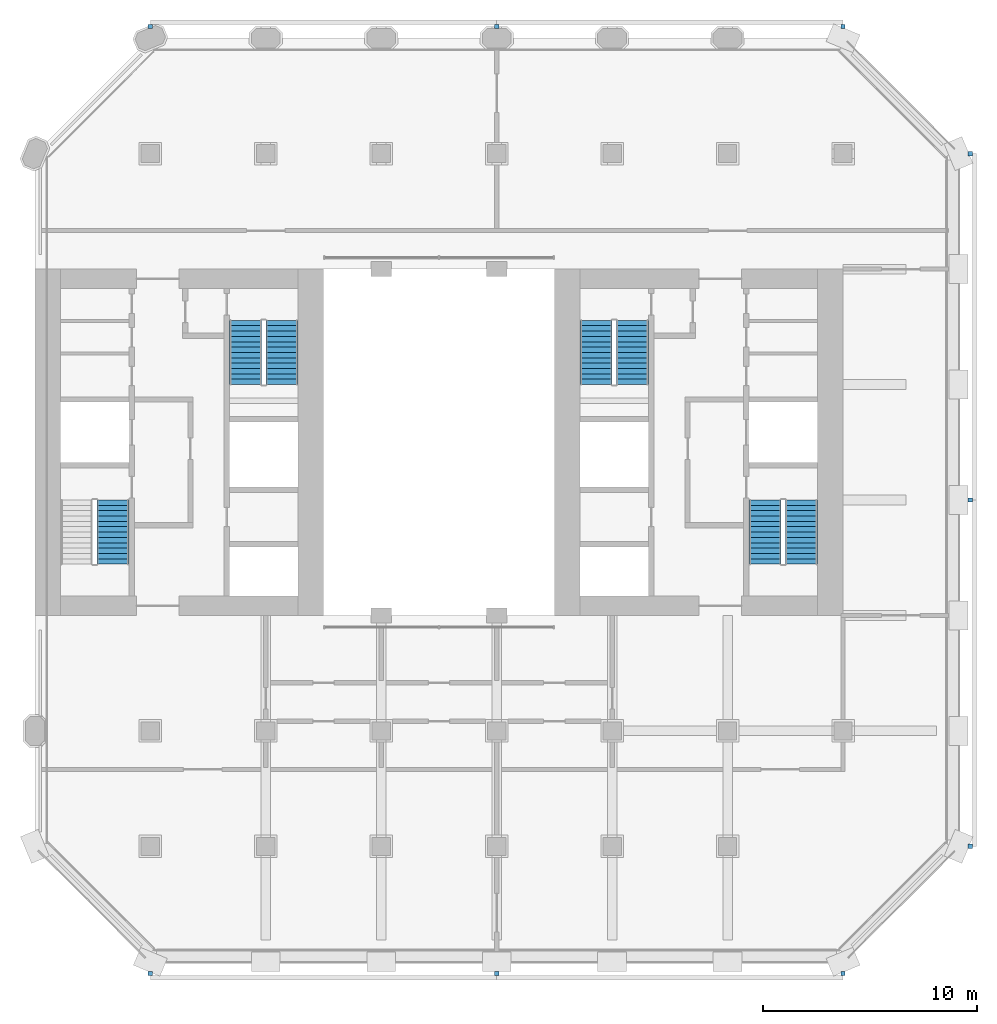
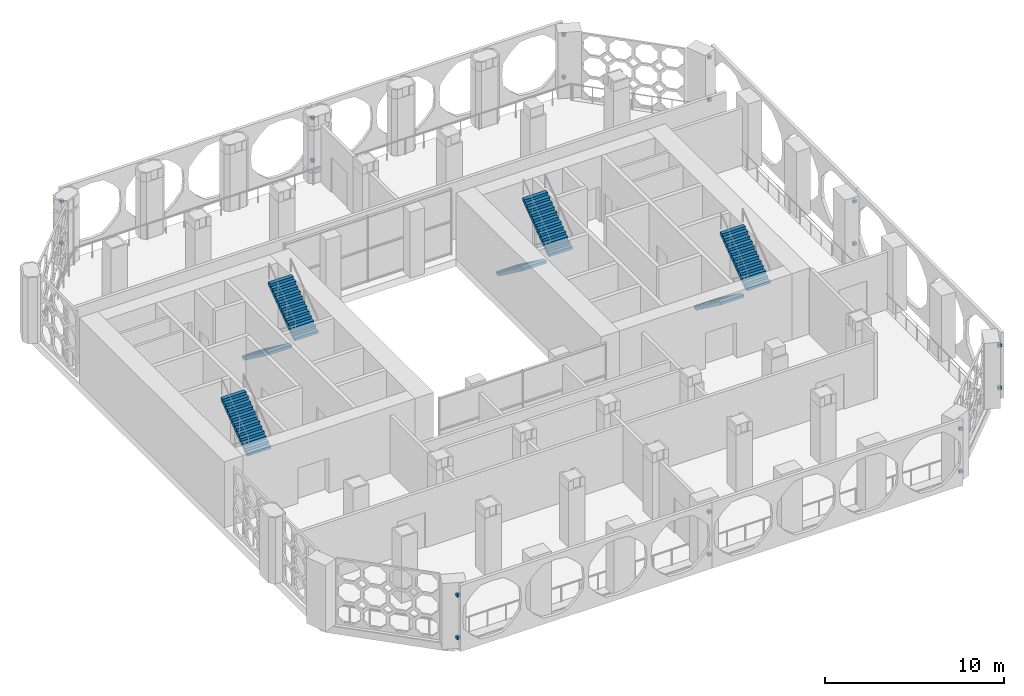
# One storey, part 10 of 14: 18 discrete accessories, 7 stair flights, 4 elements without a shape of their own.
"""IFC4 building model written with IfcOpenShell, lengths in metres."""

from ifc_helpers import new_model, si_unit, direction, frame, origin, origin_2d, place, context, subcontext, project, spatial, polyline, rectangle, outline, extrude, material, type_object, element, aggregate, save


model = new_model("IFC4")

# Units and contexts
model_context = context("Model", 3, precision=1e-05, world=origin(), true_north=direction((0.0, 1.0)))
body_context = subcontext(model_context, "Body", "Model", "MODEL_VIEW")
ifc_project = project(units=[si_unit("LENGTHUNIT", "METRE"), si_unit("AREAUNIT", "SQUARE_METRE"), si_unit("VOLUMEUNIT", "CUBIC_METRE"), si_unit("PLANEANGLEUNIT", "RADIAN"), si_unit("MASSUNIT", "GRAM", prefix="KILO")], contexts=[model_context])

# Site, building, storey
site_placement = place(None, origin())
site = spatial("IfcSite", under=ifc_project, at=site_placement, CompositionType="ELEMENT")
building_placement = place(site_placement, origin())
building = spatial("IfcBuilding", under=site, at=building_placement, Name="Tabaq Tower and Sports Hall", CompositionType="ELEMENT")
storey_placement = place(building_placement, frame((0.0, 0.0, 175.89990234375)))
storey = spatial("IfcBuildingStorey", under=building, at=storey_placement, Name="L42", CompositionType="ELEMENT", Elevation=175.89990234375)

# Stair, stair flight
ifc_material_1 = material(Name="Concrete C40/50", Category="concrete")
stair_type = type_object("IfcStairType", Name="Exit stair", PredefinedType="HALF_TURN_STAIR", material=ifc_material_1)
stair_1_placement = place(storey_placement, origin())
stair_1 = element("IfcStair", 1, at=stair_1_placement, inside=storey, type_object=stair_type, Name="L42 Exit stair ST1", PredefinedType="HALF_TURN_STAIR")
ifc_material_2 = material(Name="Concrete C40/50", Category="concrete")
stair_flight_type = type_object("IfcStairFlightType", Name="Exit stair flight", PredefinedType="STRAIGHT", material=ifc_material_2)
stair_flight_1_placement = place(storey_placement, frame((9.050048828125, 18.60009765625, 2.400146484375), z_axis=(0.0, 0.0, 1.0), x_axis=(0.0, 1.0, 0.0)))
stair_flight_1 = element("IfcStairFlight", 2, at=stair_flight_1_placement, type_object=stair_flight_type, Name="ST1 flight 2", NumberOfRisers=13, NumberOfTreads=12, PredefinedType="STRAIGHT", RiserHeight=0.184615385, TreadLength=0.25, context=body_context, shape_type="SweptSolid", body=[
    extrude(outline(polyline([(0.0, 0.0), (0.0, 0.1845703125), (0.25, 0.1845703125), (0.25, 0.369140625), (0.5, 0.369140625), (0.5, 0.553955078125), (0.75, 0.553955078125), (0.75, 0.738525390625), (1.0, 0.738525390625), (1.0, 0.923095703125), (1.25, 0.923095703125), (1.25, 1.107666015625), (1.5, 1.107666015625), (1.5, 1.292236328125), (1.75, 1.292236328125), (1.75, 1.476806640625), (2.0, 1.476806640625), (2.0, 1.66162109375), (2.25, 1.66162109375), (2.25, 1.84619140625), (2.5, 1.84619140625), (2.5, 2.03076171875), (2.75, 2.03076171875), (2.75, 2.21533203125), (3.0, 2.21533203125), (3.0, 2.39990234375), (3.0, 2.029052734375), (0.25244140625, 0.0), (0.0, 0.0)])), frame((0.0, 0.75, 0.0), z_axis=(0.0, -1.0, 0.0), x_axis=(1.0, 0.0, 0.0)), (0.0, 0.0, 1.0), 1.5),
])
aggregate(stair_1, [stair_flight_1])

# Stair, stair flights
stair_2_placement = place(storey_placement, origin())
stair_2 = element("IfcStair", 3, at=stair_2_placement, inside=storey, type_object=stair_type, Name="L42 Exit stair ST2", PredefinedType="HALF_TURN_STAIR")
stair_flight_2_placement = place(storey_placement, frame((15.25, 30.0, 0.0), z_axis=(0.0, 0.0, 1.0), x_axis=(0.0, -1.0, 0.0)))
stair_flight_2 = element("IfcStairFlight", 4, at=stair_flight_2_placement, type_object=stair_flight_type, Name="ST2 flight 1", NumberOfRisers=13, NumberOfTreads=12, PredefinedType="STRAIGHT", RiserHeight=0.184615385, TreadLength=0.25, context=body_context, shape_type="SweptSolid", body=[
    extrude(outline(polyline([(0.0, 0.0), (0.0, 0.1845703125), (0.25, 0.1845703125), (0.25, 0.369140625), (0.5, 0.369140625), (0.5, 0.553955078125), (0.75, 0.553955078125), (0.75, 0.738525390625), (1.0, 0.738525390625), (1.0, 0.923095703125), (1.25, 0.923095703125), (1.25, 1.107666015625), (1.5, 1.107666015625), (1.5, 1.292236328125), (1.75, 1.292236328125), (1.75, 1.476806640625), (2.0, 1.476806640625), (2.0, 1.66162109375), (2.25, 1.66162109375), (2.25, 1.84619140625), (2.5, 1.84619140625), (2.5, 2.03076171875), (2.75, 2.03076171875), (2.75, 2.21533203125), (3.0, 2.21533203125), (3.0, 2.39990234375), (3.0, 2.029052734375), (0.25244140625, 0.0), (0.0, 0.0)])), frame((0.0, 0.75, 0.0), z_axis=(0.0, -1.0, 0.0), x_axis=(1.0, 0.0, 0.0)), (0.0, 0.0, 1.0), 1.5),
])
stair_flight_3_placement = place(storey_placement, frame((16.949951171875, 27.0, 2.400146484375), z_axis=(0.0, 0.0, 1.0), x_axis=(0.0, 1.0, 0.0)))
stair_flight_3 = element("IfcStairFlight", 5, at=stair_flight_3_placement, type_object=stair_flight_type, Name="ST2 flight 2", NumberOfRisers=13, NumberOfTreads=12, PredefinedType="STRAIGHT", RiserHeight=0.184615385, TreadLength=0.25, context=body_context, shape_type="SweptSolid", body=[
    extrude(outline(polyline([(0.0, 0.0), (0.0, 0.1845703125), (0.25, 0.1845703125), (0.25, 0.369140625), (0.5, 0.369140625), (0.5, 0.553955078125), (0.75, 0.553955078125), (0.75, 0.738525390625), (1.0, 0.738525390625), (1.0, 0.923095703125), (1.25, 0.923095703125), (1.25, 1.107666015625), (1.5, 1.107666015625), (1.5, 1.292236328125), (1.75, 1.292236328125), (1.75, 1.476806640625), (2.0, 1.476806640625), (2.0, 1.66162109375), (2.25, 1.66162109375), (2.25, 1.84619140625), (2.5, 1.84619140625), (2.5, 2.03076171875), (2.75, 2.03076171875), (2.75, 2.21533203125), (3.0, 2.21533203125), (3.0, 2.39990234375), (3.0, 2.029052734375), (0.25244140625, 0.0), (0.0, 0.0)])), frame((0.0, 0.75, 0.0), z_axis=(0.0, -1.0, 0.0), x_axis=(1.0, 0.0, 0.0)), (0.0, 0.0, 1.0), 1.5),
])
aggregate(stair_2, [stair_flight_2, stair_flight_3])

stair_3_placement = place(storey_placement, origin())
stair_3 = element("IfcStair", 6, at=stair_3_placement, inside=storey, type_object=stair_type, Name="L42 Exit stair ST3", PredefinedType="HALF_TURN_STAIR")
stair_flight_4_placement = place(storey_placement, frame((39.550048828125, 21.60009765625, 0.0), z_axis=(0.0, 0.0, 1.0), x_axis=(0.0, -1.0, 0.0)))
stair_flight_4 = element("IfcStairFlight", 7, at=stair_flight_4_placement, type_object=stair_flight_type, Name="ST3 flight 1", NumberOfRisers=13, NumberOfTreads=12, PredefinedType="STRAIGHT", RiserHeight=0.184615385, TreadLength=0.25, context=body_context, shape_type="SweptSolid", body=[
    extrude(outline(polyline([(0.0, 0.0), (0.0, 0.1845703125), (0.25, 0.1845703125), (0.25, 0.369140625), (0.5, 0.369140625), (0.5, 0.553955078125), (0.75, 0.553955078125), (0.75, 0.738525390625), (1.0, 0.738525390625), (1.0, 0.923095703125), (1.25, 0.923095703125), (1.25, 1.107666015625), (1.5, 1.107666015625), (1.5, 1.292236328125), (1.75, 1.292236328125), (1.75, 1.476806640625), (2.0, 1.476806640625), (2.0, 1.66162109375), (2.25, 1.66162109375), (2.25, 1.84619140625), (2.5, 1.84619140625), (2.5, 2.03076171875), (2.75, 2.03076171875), (2.75, 2.21533203125), (3.0, 2.21533203125), (3.0, 2.39990234375), (3.0, 2.029052734375), (0.25244140625, 0.0), (0.0, 0.0)])), frame((0.0, 0.75, 0.0), z_axis=(0.0, -1.0, 0.0), x_axis=(1.0, 0.0, 0.0)), (0.0, 0.0, 1.0), 1.5),
])
stair_flight_5_placement = place(storey_placement, frame((41.25, 18.60009765625, 2.400146484375), z_axis=(0.0, 0.0, 1.0), x_axis=(0.0, 1.0, 0.0)))
stair_flight_5 = element("IfcStairFlight", 8, at=stair_flight_5_placement, type_object=stair_flight_type, Name="ST3 flight 2", NumberOfRisers=13, NumberOfTreads=12, PredefinedType="STRAIGHT", RiserHeight=0.184615385, TreadLength=0.25, context=body_context, shape_type="SweptSolid", body=[
    extrude(outline(polyline([(0.0, 0.0), (0.0, 0.1845703125), (0.25, 0.1845703125), (0.25, 0.369140625), (0.5, 0.369140625), (0.5, 0.553955078125), (0.75, 0.553955078125), (0.75, 0.738525390625), (1.0, 0.738525390625), (1.0, 0.923095703125), (1.25, 0.923095703125), (1.25, 1.107666015625), (1.5, 1.107666015625), (1.5, 1.292236328125), (1.75, 1.292236328125), (1.75, 1.476806640625), (2.0, 1.476806640625), (2.0, 1.66162109375), (2.25, 1.66162109375), (2.25, 1.84619140625), (2.5, 1.84619140625), (2.5, 2.03076171875), (2.75, 2.03076171875), (2.75, 2.21533203125), (3.0, 2.21533203125), (3.0, 2.39990234375), (3.0, 2.029052734375), (0.25244140625, 0.0), (0.0, 0.0)])), frame((0.0, 0.75, 0.0), z_axis=(0.0, -1.0, 0.0), x_axis=(1.0, 0.0, 0.0)), (0.0, 0.0, 1.0), 1.5),
])
aggregate(stair_3, [stair_flight_4, stair_flight_5])

stair_4_placement = place(storey_placement, origin())
stair_4 = element("IfcStair", 9, at=stair_4_placement, inside=storey, type_object=stair_type, Name="L42 Exit stair ST4", PredefinedType="HALF_TURN_STAIR")
stair_flight_6_placement = place(storey_placement, frame((31.64990234375, 30.0, 0.0), z_axis=(0.0, 0.0, 1.0), x_axis=(0.0, -1.0, 0.0)))
stair_flight_6 = element("IfcStairFlight", 10, at=stair_flight_6_placement, type_object=stair_flight_type, Name="ST4 flight 1", NumberOfRisers=13, NumberOfTreads=12, PredefinedType="STRAIGHT", RiserHeight=0.184615385, TreadLength=0.25, context=body_context, shape_type="SweptSolid", body=[
    extrude(outline(polyline([(0.0, 0.0), (0.0, 0.1845703125), (0.25, 0.1845703125), (0.25, 0.369140625), (0.5, 0.369140625), (0.5, 0.553955078125), (0.75, 0.553955078125), (0.75, 0.738525390625), (1.0, 0.738525390625), (1.0, 0.923095703125), (1.25, 0.923095703125), (1.25, 1.107666015625), (1.5, 1.107666015625), (1.5, 1.292236328125), (1.75, 1.292236328125), (1.75, 1.476806640625), (2.0, 1.476806640625), (2.0, 1.66162109375), (2.25, 1.66162109375), (2.25, 1.84619140625), (2.5, 1.84619140625), (2.5, 2.03076171875), (2.75, 2.03076171875), (2.75, 2.21533203125), (3.0, 2.21533203125), (3.0, 2.39990234375), (3.0, 2.029052734375), (0.25244140625, 0.0), (0.0, 0.0)])), frame((0.0, 0.75, 0.0), z_axis=(0.0, -1.0, 0.0), x_axis=(1.0, 0.0, 0.0)), (0.0, 0.0, 1.0), 1.5),
])
stair_flight_7_placement = place(storey_placement, frame((33.35009765625, 27.0, 2.400146484375), z_axis=(0.0, 0.0, 1.0), x_axis=(0.0, 1.0, 0.0)))
stair_flight_7 = element("IfcStairFlight", 11, at=stair_flight_7_placement, type_object=stair_flight_type, Name="ST4 flight 2", NumberOfRisers=13, NumberOfTreads=12, PredefinedType="STRAIGHT", RiserHeight=0.184615385, TreadLength=0.25, context=body_context, shape_type="SweptSolid", body=[
    extrude(outline(polyline([(0.0, 0.0), (0.0, 0.1845703125), (0.25, 0.1845703125), (0.25, 0.369140625), (0.5, 0.369140625), (0.5, 0.553955078125), (0.75, 0.553955078125), (0.75, 0.738525390625), (1.0, 0.738525390625), (1.0, 0.923095703125), (1.25, 0.923095703125), (1.25, 1.107666015625), (1.5, 1.107666015625), (1.5, 1.292236328125), (1.75, 1.292236328125), (1.75, 1.476806640625), (2.0, 1.476806640625), (2.0, 1.66162109375), (2.25, 1.66162109375), (2.25, 1.84619140625), (2.5, 1.84619140625), (2.5, 2.03076171875), (2.75, 2.03076171875), (2.75, 2.21533203125), (3.0, 2.21533203125), (3.0, 2.39990234375), (3.0, 2.029052734375), (0.25244140625, 0.0), (0.0, 0.0)])), frame((0.0, 0.75, 0.0), z_axis=(0.0, -1.0, 0.0), x_axis=(1.0, 0.0, 0.0)), (0.0, 0.0, 1.0), 1.5),
])
aggregate(stair_4, [stair_flight_6, stair_flight_7])

# Discrete accessories
for number, where, z_axis, x_axis, name in (
    (12, (10.800048828125, -0.550048828125, 0.7001953125), (0.0, 0.0, 1.0), (0.0, 1.0, 0.0), "Stainless steel bracket"),
    (13, (10.800048828125, -0.550048828125, 3.60009765625), (0.0, 0.0, 1.0), (0.0, 1.0, 0.0), "Stainless steel bracket"),
    (14, (27.0, -0.550048828125, 0.7001953125), (0.0, 0.0, 1.0), (0.0, 1.0, 0.0), "Stainless steel bracket"),
    (15, (27.0, -0.550048828125, 3.60009765625), (0.0, 0.0, 1.0), (0.0, 1.0, 0.0), "Stainless steel bracket"),
    (16, (43.199951171875, -0.550048828125, 0.7001953125), (0.0, 0.0, 1.0), (0.0, 1.0, 0.0), "Stainless steel bracket"),
    (17, (43.199951171875, -0.550048828125, 3.60009765625), (0.0, 0.0, 1.0), (0.0, 1.0, 0.0), "Stainless steel bracket"),
    (18, (49.14990234375, 5.39990234375, 0.7001953125), (0.0, 0.0, 1.0), (-1.0, 0.0, 0.0), "Stainless steel bracket"),
    (19, (49.14990234375, 5.39990234375, 3.60009765625), (0.0, 0.0, 1.0), (-1.0, 0.0, 0.0), "Stainless steel bracket"),
    (20, (49.14990234375, 21.60009765625, 0.7001953125), (0.0, 0.0, 1.0), (-1.0, 0.0, 0.0), "Stainless steel bracket"),
    (21, (49.14990234375, 21.60009765625, 3.60009765625), (0.0, 0.0, 1.0), (-1.0, 0.0, 0.0), "Stainless steel bracket"),
    (22, (49.14990234375, 37.800048828125, 0.7001953125), (0.0, 0.0, 1.0), (-1.0, 0.0, 0.0), "Stainless steel bracket"),
    (23, (49.14990234375, 37.800048828125, 3.60009765625), (0.0, 0.0, 1.0), (-1.0, 0.0, 0.0), "Stainless steel bracket"),
    (24, (43.199951171875, 43.75, 0.7001953125), (0.0, 0.0, 1.0), (0.0, -1.0, 0.0), "Stainless steel bracket"),
    (25, (43.199951171875, 43.75, 3.60009765625), (0.0, 0.0, 1.0), (0.0, -1.0, 0.0), "Stainless steel bracket"),
    (26, (27.0, 43.75, 0.7001953125), (0.0, 0.0, 1.0), (0.0, -1.0, 0.0), "Stainless steel bracket"),
    (27, (27.0, 43.75, 3.60009765625), (0.0, 0.0, 1.0), (0.0, -1.0, 0.0), "Stainless steel bracket"),
    (28, (10.800048828125, 43.75, 0.7001953125), (0.0, 0.0, 1.0), (0.0, -1.0, 0.0), "Stainless steel bracket"),
    (29, (10.800048828125, 43.75, 3.60009765625), (0.0, 0.0, 1.0), (0.0, -1.0, 0.0), "Stainless steel bracket"),
):
    element("IfcDiscreteAccessory", number, at=place(storey_placement, frame(where, z_axis=z_axis, x_axis=x_axis)), inside=storey, Name=name, PredefinedType="BRACKET", context=body_context, shape_type="SweptSolid", body=[
        extrude(rectangle(XDim=0.199951171875, YDim=0.199951171875, at=origin_2d()), origin(), (0.0, 0.0, 1.0), 0.199951171875),
    ])

save(model, "model.ifc")
